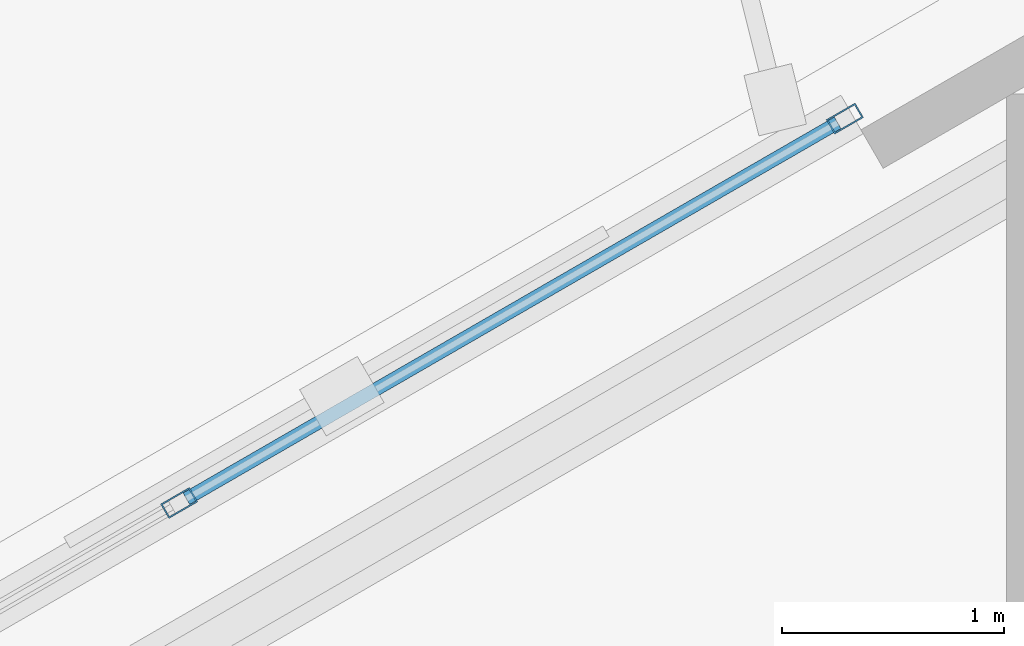
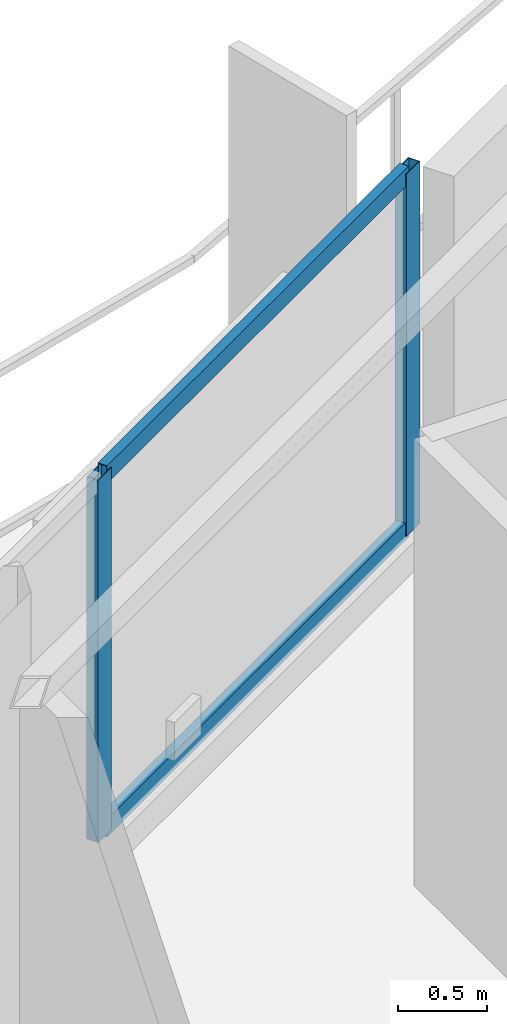
# One storey, part 10 of 19: 4 members, 1 element without a shape of its own.
"""IFC4 building model written with IfcOpenShell, lengths in metres."""

from ifc_helpers import new_model, si_unit, direction, frame, origin, origin_2d, place, context, subcontext, project, spatial, hollow_rectangle, extrude, material, layer, layer_set, material_profile, profile_set, type_object, element, aggregate, save


model = new_model("IFC4")

# Units and contexts
model_context = context("Model", 3, precision=1e-05, world=origin(), true_north=direction((0.0, 1.0)))
body_context = subcontext(model_context, "Body", "Model", "MODEL_VIEW")
ifc_project = project(units=[si_unit("LENGTHUNIT", "METRE"), si_unit("AREAUNIT", "SQUARE_METRE"), si_unit("VOLUMEUNIT", "CUBIC_METRE"), si_unit("PLANEANGLEUNIT", "RADIAN"), si_unit("MASSUNIT", "GRAM", prefix="KILO")], contexts=[model_context])

# Site, building, storey
site_placement = place(None, origin())
site = spatial("IfcSite", under=ifc_project, at=site_placement, CompositionType="ELEMENT")
building_placement = place(site_placement, origin())
building = spatial("IfcBuilding", under=site, at=building_placement, Name="Mersakhor Tower and Convention Hall", CompositionType="ELEMENT")
storey_placement = place(building_placement, frame((0.0, 0.0, 147.60009765625)))
storey = spatial("IfcBuildingStorey", under=building, at=storey_placement, Name="L41", CompositionType="ELEMENT", Elevation=147.60009765625)

# Curtain wall, members
ifc_material_1 = material(Name="Dark solar low-E aluminium curtain wall", Category="aluminium")
ifc_layer = layer(ifc_material_1, 0.169921875)
ifc_layer_set = layer_set([ifc_layer], Name="Dark solar low-E aluminium curtain wall")
curtain_wall_type = type_object("IfcCurtainWallType", Name="CW-SYS-02", PredefinedType="USERDEFINED", material=ifc_layer_set)
curtain_wall_placement = place(storey_placement, origin())
curtain_wall = element("IfcCurtainWall", 1, at=curtain_wall_placement, inside=storey, type_object=curtain_wall_type, Name="L41 Dark-Glass Curtain Wall F1-B2", ObjectType="CURTAIN WALL", PredefinedType="USERDEFINED")
ifc_material_2 = material(Name="Anodised aluminium EN AW-6063 T6", Category="aluminium")
ifc_material_profile_1 = material_profile(ifc_material_2, hollow_rectangle(XDim=0.074951171875, YDim=0.14990234375, WallThickness=0.00634765625, at=origin_2d()), Name="RHS 150x75x6.3")
ifc_profile_set_1 = profile_set([ifc_material_profile_1], Name="Anodised aluminium EN AW-6063 T6")
member_type_1 = type_object("IfcMemberType", Name="CWM-150x75", PredefinedType="MULLION", material=ifc_profile_set_1)
member_1_placement = place(storey_placement, frame((23.904052734375, 39.072021484375, 0.199951171875), z_axis=(0.0, 0.0, 1.0), x_axis=(-0.499990468363, 0.866030906807, 0.0)))
member_1 = element("IfcMember", 2, at=member_1_placement, type_object=member_type_1, Name="CW-02 mullion 3", PredefinedType="MULLION", context=body_context, shape_type="SweptSolid", body=[
    extrude(hollow_rectangle(XDim=0.074951171875, YDim=0.14990234375, WallThickness=0.00634765625, at=origin_2d()), origin(), (0.0, 0.0, 1.0), 2.47998046875),
])
member_2_placement = place(storey_placement, frame((26.8984375, 40.80078125, 0.199951171875), z_axis=(0.0, 0.0, 1.0), x_axis=(-0.499990468363, 0.866030906807, 0.0)))
member_2 = element("IfcMember", 3, at=member_2_placement, type_object=member_type_1, Name="CW-02 mullion 4", PredefinedType="MULLION", context=body_context, shape_type="SweptSolid", body=[
    extrude(hollow_rectangle(XDim=0.074951171875, YDim=0.14990234375, WallThickness=0.00634765625, at=origin_2d()), origin(), (0.0, 0.0, 1.0), 2.47998046875),
])
ifc_material_3 = material(Name="Anodised aluminium EN AW-6063 T6", Category="aluminium")
ifc_material_profile_2 = material_profile(ifc_material_3, hollow_rectangle(XDim=0.06005859375, YDim=0.1201171875, WallThickness=0.0048828125, at=origin_2d()), Name="RHS 120x60x5")
ifc_profile_set_2 = profile_set([ifc_material_profile_2], Name="Anodised aluminium EN AW-6063 T6")
member_type_2 = type_object("IfcMemberType", Name="CWT-120x60", PredefinedType="USERDEFINED", material=ifc_profile_set_2)
member_3_placement = place(storey_placement, frame((23.9365234375, 39.0908203125, 0.22998046875), z_axis=(0.866044963944, 0.49996611928, 0.0), x_axis=(-0.49996611928, 0.866044963944, 0.0)))
member_3 = element("IfcMember", 4, at=member_3_placement, type_object=member_type_2, Name="CW-02 transom 3.1", ObjectType="TRANSOM", PredefinedType="USERDEFINED", context=body_context, shape_type="SweptSolid", body=[
    extrude(hollow_rectangle(XDim=0.06005859375, YDim=0.1201171875, WallThickness=0.0048828125, at=origin_2d()), origin(), (0.0, 0.0, 1.0), 3.382568359375),
])
member_4_placement = place(storey_placement, frame((23.9365234375, 39.0908203125, 2.64990234375), z_axis=(0.866044963944, 0.49996611928, 0.0), x_axis=(-0.49996611928, 0.866044963944, 0.0)))
member_4 = element("IfcMember", 5, at=member_4_placement, type_object=member_type_2, Name="CW-02 transom 3.2", ObjectType="TRANSOM", PredefinedType="USERDEFINED", context=body_context, shape_type="SweptSolid", body=[
    extrude(hollow_rectangle(XDim=0.06005859375, YDim=0.1201171875, WallThickness=0.0048828125, at=origin_2d()), origin(), (0.0, 0.0, 1.0), 3.382568359375),
])
aggregate(curtain_wall, [member_1, member_2, member_3, member_4])

save(model, "model.ifc")
